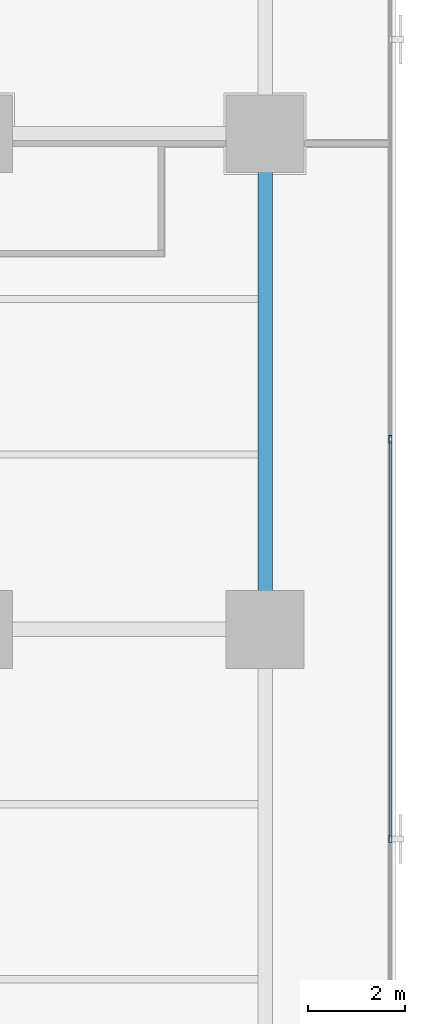
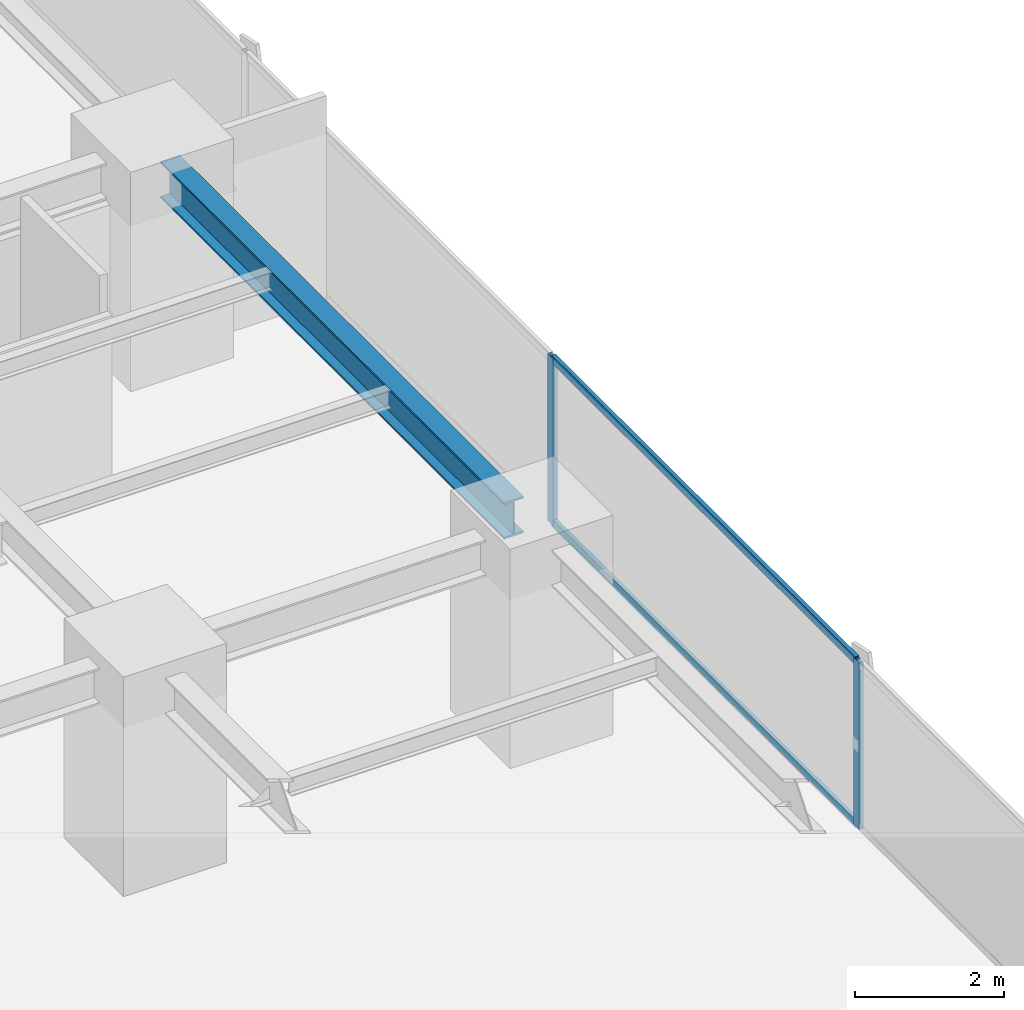
# One storey, part 16 of 37: 4 members, 1 beam, 1 element without a shape of its own.
"""IFC4 building model written with IfcOpenShell, lengths in metres."""

from ifc_helpers import new_model, si_unit, direction, frame, origin, origin_2d, place, context, subcontext, project, spatial, hollow_rectangle, i_section, extrude, source, transform, mapped, material, layer, layer_set, material_profile, profile_set, type_object, element, aggregate, save


model = new_model("IFC4")

# Units and contexts
model_context = context("Model", 3, precision=1e-05, world=origin(), true_north=direction((0.0, 1.0)))
body_context = subcontext(model_context, "Body", "Model", "MODEL_VIEW")
ifc_project = project(units=[si_unit("LENGTHUNIT", "METRE"), si_unit("AREAUNIT", "SQUARE_METRE"), si_unit("VOLUMEUNIT", "CUBIC_METRE"), si_unit("PLANEANGLEUNIT", "RADIAN"), si_unit("MASSUNIT", "GRAM", prefix="KILO")], contexts=[model_context])

# Site, building, storey
site_placement = place(None, origin())
site = spatial("IfcSite", under=ifc_project, at=site_placement, CompositionType="ELEMENT")
building_placement = place(site_placement, origin())
building = spatial("IfcBuilding", under=site, at=building_placement, Name="Sumidabori Civic Tower", CompositionType="ELEMENT")
storey_placement = place(building_placement, frame((0.0, 0.0, 81.199951171875)))
storey = spatial("IfcBuildingStorey", under=building, at=storey_placement, Name="L20", CompositionType="ELEMENT", Elevation=81.199951171875)

# Beam
ifc_material_1 = material(Name="Steel SN490", Category="steel")
ifc_material_profile_1 = material_profile(ifc_material_1, i_section(OverallWidth=0.300048828125, OverallDepth=0.60009765625, WebThickness=0.015380859375, FlangeThickness=0.030029296875, at=origin_2d()), Name="HE 600 B")
ifc_profile_set_1 = profile_set([ifc_material_profile_1], Name="Steel SN490")
beam_type = type_object("IfcBeamType", Name="BM-GIRD-600", PredefinedType="BEAM", material=ifc_profile_set_1)
shared_shape_1 = source(origin(), body_context, "Body", "SweptSolid", [
    extrude(i_section(OverallWidth=0.300048828125, OverallDepth=0.60009765625, WebThickness=0.015380859375, FlangeThickness=0.030029296875, at=origin_2d()), origin(), (0.0, 0.0, 1.0), 9.239990234375),
])
beam_placement = place(storey_placement, frame((22.800048828125, 0.47998046875, 3.06005859375), z_axis=(0.0, 1.0, 0.0), x_axis=(-1.0, 0.0, 0.0)))
element("IfcBeam", 1, at=beam_placement, inside=storey, type_object=beam_type, Name="Primary Girder L20 GY-41", PredefinedType="BEAM", context=body_context, shape_type="MappedRepresentation", body=[
    mapped(shared_shape_1, transform((0.0, 0.0, 0.0), x_axis=(1.0, 0.0, 0.0), y_axis=(0.0, 1.0, 0.0), z_axis=(0.0, 0.0, 1.0), scale=1.0)),
])

# Curtain wall, members
ifc_material_2 = material(Name="Anodised Bronze Aluminium AW-6063-T6", Category="aluminium")
ifc_layer = layer(ifc_material_2, 0.179931640625, Name="Anodised Bronze Aluminium AW-6063-T6")
ifc_layer_set = layer_set([ifc_layer], Name="Anodised Bronze Aluminium AW-6063-T6")
curtain_wall_type = type_object("IfcCurtainWallType", Name="CW-SYS-3", PredefinedType="NOTDEFINED", material=ifc_layer_set)
curtain_wall_placement = place(storey_placement, origin())
curtain_wall = element("IfcCurtainWall", 2, at=curtain_wall_placement, inside=storey, type_object=curtain_wall_type, Name="Curtain Wall CW:L20:R04", PredefinedType="NOTDEFINED")
ifc_material_profile_2 = material_profile(ifc_material_2, hollow_rectangle(XDim=0.06494140625, YDim=0.159912109375, WallThickness=0.0048828125, at=origin_2d()), Name="ALU MULLION 160x65")
ifc_profile_set_2 = profile_set([ifc_material_profile_2], Name="Anodised Bronze Aluminium AW-6063-T6")
member_type_1 = type_object("IfcMemberType", Name="CW-MUL-160", PredefinedType="MULLION", material=ifc_profile_set_2)
shared_shape_2 = source(origin(), body_context, "Body", "SweptSolid", [
    extrude(hollow_rectangle(XDim=0.06494140625, YDim=0.159912109375, WallThickness=0.0048828125, at=origin_2d()), origin(), (0.0, 0.0, 1.0), 2.739990234375),
])
member_1_placement = place(storey_placement, frame((25.3798828125, -4.31396484375, 0.0), z_axis=(0.0, 0.0, 1.0), x_axis=(-1.0, 0.0, 0.0)))
member_1 = element("IfcMember", 3, at=member_1_placement, type_object=member_type_1, Name="CW-3 mullion 3", PredefinedType="MULLION", context=body_context, shape_type="MappedRepresentation", body=[
    mapped(shared_shape_2, transform((0.0, 0.0, 0.0), x_axis=(1.0, 0.0, 0.0), y_axis=(0.0, 1.0, 0.0), z_axis=(0.0, 0.0, 1.0), scale=1.0)),
])
member_2_placement = place(storey_placement, frame((25.3798828125, 3.9140625, 0.0), z_axis=(0.0, 0.0, 1.0), x_axis=(-1.0, 0.0, 0.0)))
member_2 = element("IfcMember", 4, at=member_2_placement, type_object=member_type_1, Name="CW-3 mullion 4", PredefinedType="MULLION", context=body_context, shape_type="MappedRepresentation", body=[
    mapped(shared_shape_2, transform((0.0, 0.0, 0.0), x_axis=(1.0, 0.0, 0.0), y_axis=(0.0, 1.0, 0.0), z_axis=(0.0, 0.0, 1.0), scale=1.0)),
])
ifc_material_profile_3 = material_profile(ifc_material_2, hollow_rectangle(XDim=0.06005859375, YDim=0.1298828125, WallThickness=0.0048828125, at=origin_2d()), Name="ALU TRANSOM 130x60")
ifc_profile_set_3 = profile_set([ifc_material_profile_3], Name="Anodised Bronze Aluminium AW-6063-T6")
member_type_2 = type_object("IfcMemberType", Name="CW-TRN-130", PredefinedType="USERDEFINED", material=ifc_profile_set_3)
shared_shape_3 = source(origin(), body_context, "Body", "SweptSolid", [
    extrude(hollow_rectangle(XDim=0.06005859375, YDim=0.1298828125, WallThickness=0.0048828125, at=origin_2d()), origin(), (0.0, 0.0, 1.0), 8.1630859375),
])
member_3_placement = place(storey_placement, frame((25.3798828125, -4.281494140625, 0.030029296875), z_axis=(0.0, 1.0, 0.0), x_axis=(-1.0, 0.0, 0.0)))
member_3 = element("IfcMember", 5, at=member_3_placement, type_object=member_type_2, Name="CW-3 transom 3.1", ObjectType="TRANSOM", PredefinedType="USERDEFINED", context=body_context, shape_type="MappedRepresentation", body=[
    mapped(shared_shape_3, transform((0.0, 0.0, 0.0), x_axis=(1.0, 0.0, 0.0), y_axis=(0.0, 1.0, 0.0), z_axis=(0.0, 0.0, 1.0), scale=1.0)),
])
member_4_placement = place(storey_placement, frame((25.3798828125, -4.281494140625, 2.7099609375), z_axis=(0.0, 1.0, 0.0), x_axis=(-1.0, 0.0, 0.0)))
member_4 = element("IfcMember", 6, at=member_4_placement, type_object=member_type_2, Name="CW-3 transom 3.2", ObjectType="TRANSOM", PredefinedType="USERDEFINED", context=body_context, shape_type="MappedRepresentation", body=[
    mapped(shared_shape_3, transform((0.0, 0.0, 0.0), x_axis=(1.0, 0.0, 0.0), y_axis=(0.0, 1.0, 0.0), z_axis=(0.0, 0.0, 1.0), scale=1.0)),
])
aggregate(curtain_wall, [member_1, member_2, member_3, member_4])

save(model, "model.ifc")
